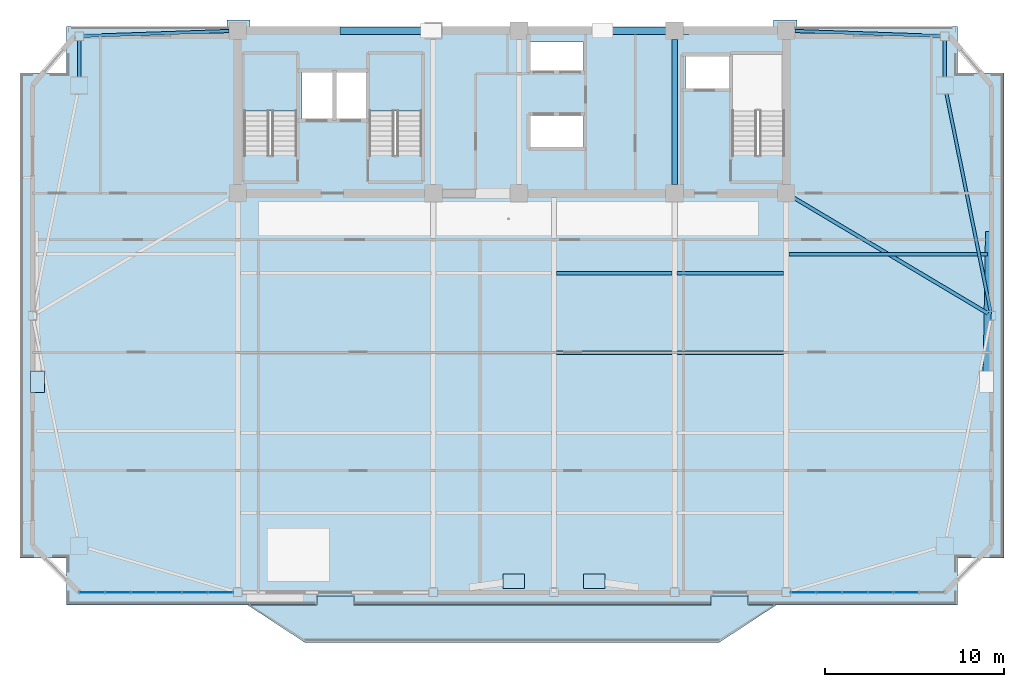
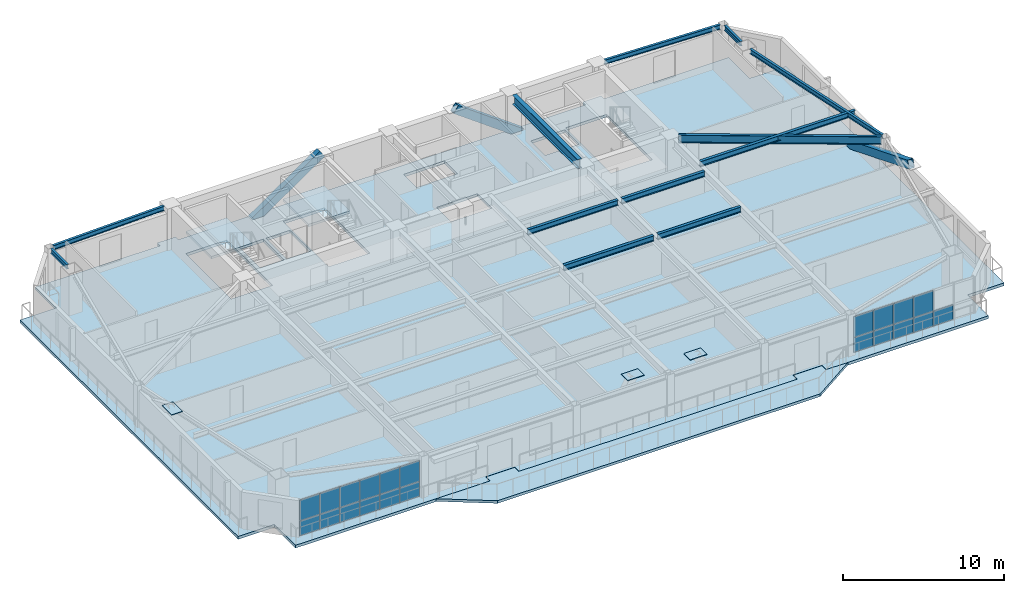
# One storey, part 7 of 17: 24 plates, 12 beams, 4 slabs, 3 members, 4 elements without a shape of their own.
"""IFC4 building model written with IfcOpenShell, lengths in metres."""

from ifc_helpers import new_model, si_unit, direction, frame, origin, origin_2d, place, context, subcontext, project, spatial, polyline, rectangle, hollow_rectangle, i_section, outline, extrude, source, transform, mapped, material, layer, layer_set, material_profile, profile_set, type_object, element, aggregate, save


model = new_model("IFC4")

# Units and contexts
model_context = context("Model", 3, precision=1e-05, world=origin(), true_north=direction((0.0, 1.0)))
body_context = subcontext(model_context, "Body", "Model", "MODEL_VIEW")
ifc_project = project(units=[si_unit("LENGTHUNIT", "METRE"), si_unit("AREAUNIT", "SQUARE_METRE"), si_unit("VOLUMEUNIT", "CUBIC_METRE"), si_unit("PLANEANGLEUNIT", "RADIAN"), si_unit("MASSUNIT", "GRAM", prefix="KILO")], contexts=[model_context])

# Site, building, storey
site_placement = place(None, origin())
site = spatial("IfcSite", under=ifc_project, at=site_placement, CompositionType="ELEMENT")
building_placement = place(site_placement, origin())
building = spatial("IfcBuilding", under=site, at=building_placement, Name="Giltprow Tower", CompositionType="ELEMENT")
storey_placement = place(building_placement, frame((0.0, 0.0, 251.89990234375)))
storey = spatial("IfcBuildingStorey", under=building, at=storey_placement, Name="L64", CompositionType="ELEMENT", Elevation=251.89990234375)

# Beams
ifc_material_1 = material(Name="Structural steel Q355B", Category="steel")
ifc_material_profile_1 = material_profile(ifc_material_1, i_section(OverallWidth=0.300048828125, OverallDepth=0.699951171875, WebThickness=0.012939453125, FlangeThickness=0.02392578125, at=origin_2d()), Name="HN 700x300x13x24")
ifc_profile_set_1 = profile_set([ifc_material_profile_1], Name="Structural steel Q355B")
beam_type_1 = type_object("IfcBeamType", Name="BM-GIRD-HN700", PredefinedType="BEAM", material=ifc_profile_set_1)
shared_shape_1 = source(origin(), body_context, "Body", "SweptSolid", [
    extrude(i_section(OverallWidth=0.300048828125, OverallDepth=0.699951171875, WebThickness=0.012939453125, FlangeThickness=0.02392578125, at=origin_2d()), origin(), (0.0, 0.0, 1.0), 8.1298828125),
])
beam_1_placement = place(storey_placement, frame((44.300048828125, 37.93505859375, 2.835205078125), z_axis=(0.0, 1.0, 0.0), x_axis=(-1.0, 0.0, 0.0)))
element("IfcBeam", 1, at=beam_1_placement, inside=storey, type_object=beam_type_1, Name="L64 Core Tie Girder M3", PredefinedType="BEAM", context=body_context, shape_type="MappedRepresentation", body=[
    mapped(shared_shape_1, transform((0.0, 0.0, 0.0), x_axis=(1.0, 0.0, 0.0), y_axis=(0.0, 1.0, 0.0), z_axis=(0.0, 0.0, 1.0), scale=1.0)),
])
ifc_material_profile_2 = material_profile(ifc_material_1, i_section(OverallWidth=0.199951171875, OverallDepth=0.39990234375, WebThickness=0.008056640625, FlangeThickness=0.012939453125, at=origin_2d()), Name="HN 400x200x8x13")
ifc_profile_set_2 = profile_set([ifc_material_profile_2], Name="Structural steel Q355B")
beam_type_2 = type_object("IfcBeamType", Name="BM-JOIST-HN400", PredefinedType="JOIST", material=ifc_profile_set_2)
shared_shape_2 = source(origin(), body_context, "Body", "SweptSolid", [
    extrude(i_section(OverallWidth=0.199951171875, OverallDepth=0.39990234375, WebThickness=0.008056640625, FlangeThickness=0.012939453125, at=origin_2d()), origin(), (0.0, 0.0, 1.0), 6.4599609375),
])
for number, where, z_axis, x_axis, name in (
    (2, (37.695068359375, 28.514892578125, 2.985107421875), (1.0, 0.0, 0.0), (0.0, 1.0, 0.0), "L64 Composite Floor Joist 3-3"),
    (3, (37.695068359375, 32.98291015625, 2.985107421875), (1.0, 0.0, 0.0), (0.0, 1.0, 0.0), "L64 Composite Floor Joist 4-3"),
):
    element("IfcBeam", number, at=place(storey_placement, frame(where, z_axis=z_axis, x_axis=x_axis)), inside=storey, type_object=beam_type_2, Name=name, PredefinedType="JOIST", context=body_context, shape_type="MappedRepresentation", body=[
        mapped(shared_shape_2, transform((0.0, 0.0, 0.0), x_axis=(1.0, 0.0, 0.0), y_axis=(0.0, 1.0, 0.0), z_axis=(0.0, 0.0, 1.0), scale=1.0)),
    ])
shared_shape_3 = source(origin(), body_context, "Body", "SweptSolid", [
    extrude(i_section(OverallWidth=0.199951171875, OverallDepth=0.39990234375, WebThickness=0.008056640625, FlangeThickness=0.012939453125, at=origin_2d()), origin(), (0.0, 0.0, 1.0), 5.9599609375),
])
for number, where, z_axis, x_axis, name in (
    (4, (44.445068359375, 28.514892578125, 2.985107421875), (1.0, 0.0, 0.0), (0.0, 1.0, 0.0), "L64 Composite Floor Joist 3-4"),
    (5, (44.445068359375, 32.98291015625, 2.985107421875), (1.0, 0.0, 0.0), (0.0, 1.0, 0.0), "L64 Composite Floor Joist 4-4"),
):
    element("IfcBeam", number, at=place(storey_placement, frame(where, z_axis=z_axis, x_axis=x_axis)), inside=storey, type_object=beam_type_2, Name=name, PredefinedType="JOIST", context=body_context, shape_type="MappedRepresentation", body=[
        mapped(shared_shape_3, transform((0.0, 0.0, 0.0), x_axis=(1.0, 0.0, 0.0), y_axis=(0.0, 1.0, 0.0), z_axis=(0.0, 0.0, 1.0), scale=1.0)),
    ])
ifc_material_profile_3 = material_profile(ifc_material_1, i_section(OverallWidth=0.175048828125, OverallDepth=0.35009765625, WebThickness=0.007080078125, FlangeThickness=0.010986328125, at=origin_2d()), Name="HN 350x175x7x11")
ifc_profile_set_3 = profile_set([ifc_material_profile_3], Name="Structural steel Q355B")
beam_type_3 = type_object("IfcBeamType", Name="BM-SPAN-HN350", PredefinedType="SPANDREL", material=ifc_profile_set_3)
shared_shape_4 = source(origin(), body_context, "Body", "SweptSolid", [
    extrude(i_section(OverallWidth=0.175048828125, OverallDepth=0.35009765625, WebThickness=0.007080078125, FlangeThickness=0.010986328125, at=origin_2d()), origin(), (0.0, 0.0, 1.0), 12.42138671875),
])
beam_2_placement = place(storey_placement, frame((61.989990234375, 30.8369140625, 3.010009765625), z_axis=(-0.198927494824, 0.980014210001, 0.0), x_axis=(-0.980014210001, -0.198927494824, 0.0)))
element("IfcBeam", 6, at=beam_2_placement, inside=storey, type_object=beam_type_3, Name="L64 Perimeter Spandrel Beam E_MID-MC_NE", PredefinedType="SPANDREL", context=body_context, shape_type="MappedRepresentation", body=[
    mapped(shared_shape_4, transform((0.0, 0.0, 0.0), x_axis=(1.0, 0.0, 0.0), y_axis=(0.0, 1.0, 0.0), z_axis=(0.0, 0.0, 1.0), scale=1.0)),
])
shared_shape_5 = source(origin(), body_context, "Body", "SweptSolid", [
    extrude(i_section(OverallWidth=0.175048828125, OverallDepth=0.35009765625, WebThickness=0.007080078125, FlangeThickness=0.010986328125, at=origin_2d()), origin(), (0.0, 0.0, 1.0), 2.044921875),
])
for number, where, z_axis, x_axis, name in (
    (7, (59.422119140625, 43.969970703125, 3.010009765625), (0.0, 1.0, 0.0), (-1.0, 0.0, 0.0), "L64 Perimeter Spandrel Beam MC_NE-N_E"),
    (8, (10.97900390625, 46.014892578125, 3.010009765625), (0.0, -1.0, 0.0), (1.0, 0.0, 0.0), "L64 Perimeter Spandrel Beam N_W-MC_NW"),
):
    element("IfcBeam", number, at=place(storey_placement, frame(where, z_axis=z_axis, x_axis=x_axis)), inside=storey, type_object=beam_type_3, Name=name, PredefinedType="SPANDREL", context=body_context, shape_type="MappedRepresentation", body=[
        mapped(shared_shape_5, transform((0.0, 0.0, 0.0), x_axis=(1.0, 0.0, 0.0), y_axis=(0.0, 1.0, 0.0), z_axis=(0.0, 0.0, 1.0), scale=1.0)),
    ])
shared_shape_6 = source(origin(), body_context, "Body", "SweptSolid", [
    extrude(i_section(OverallWidth=0.175048828125, OverallDepth=0.35009765625, WebThickness=0.007080078125, FlangeThickness=0.010986328125, at=origin_2d()), origin(), (0.0, 0.0, 1.0), 8.155517578125),
])
beam_3_placement = place(storey_placement, frame((11.214111328125, 46.258056640625, 3.010009765625), z_axis=(0.999427698127, 0.033827152066, 0.0), x_axis=(-0.033827152066, 0.999427698127, 0.0)))
element("IfcBeam", 9, at=beam_3_placement, inside=storey, type_object=beam_type_3, Name="L64 North Wing Spandrel W", PredefinedType="SPANDREL", context=body_context, shape_type="MappedRepresentation", body=[
    mapped(shared_shape_6, transform((0.0, 0.0, 0.0), x_axis=(1.0, 0.0, 0.0), y_axis=(0.0, 1.0, 0.0), z_axis=(0.0, 0.0, 1.0), scale=1.0)),
])
shared_shape_7 = source(origin(), body_context, "Body", "SweptSolid", [
    extrude(i_section(OverallWidth=0.175048828125, OverallDepth=0.35009765625, WebThickness=0.007080078125, FlangeThickness=0.010986328125, at=origin_2d()), origin(), (0.0, 0.0, 1.0), 8.15673828125),
])
beam_4_placement = place(storey_placement, frame((51.034912109375, 46.533935546875, 3.010009765625), z_axis=(0.999427869361, -0.033822092551, 0.0), x_axis=(0.033822092551, 0.999427869361, 0.0)))
element("IfcBeam", 10, at=beam_4_placement, inside=storey, type_object=beam_type_3, Name="L64 North Wing Spandrel E", PredefinedType="SPANDREL", context=body_context, shape_type="MappedRepresentation", body=[
    mapped(shared_shape_7, transform((0.0, 0.0, 0.0), x_axis=(1.0, 0.0, 0.0), y_axis=(0.0, 1.0, 0.0), z_axis=(0.0, 0.0, 1.0), scale=1.0)),
])
ifc_material_profile_4 = material_profile(ifc_material_1, i_section(OverallWidth=0.199951171875, OverallDepth=0.60009765625, WebThickness=0.010986328125, FlangeThickness=0.01708984375, at=origin_2d()), Name="HN 600x200x11x17")
ifc_profile_set_4 = profile_set([ifc_material_profile_4], Name="Structural steel Q355B")
beam_type_4 = type_object("IfcBeamType", Name="BM-GIRD-HN600", PredefinedType="BEAM", material=ifc_profile_set_4)
shared_shape_8 = source(origin(), body_context, "Body", "SweptSolid", [
    extrude(i_section(OverallWidth=0.199951171875, OverallDepth=0.60009765625, WebThickness=0.010986328125, FlangeThickness=0.01708984375, at=origin_2d()), origin(), (0.0, 0.0, 1.0), 12.650390625),
])
beam_5_placement = place(storey_placement, frame((61.8349609375, 30.72705078125, 2.885009765625), z_axis=(-0.859089447214, 0.511825479716, 0.0), x_axis=(-0.511825479716, -0.859089447214, 0.0)))
element("IfcBeam", 11, at=beam_5_placement, inside=storey, type_object=beam_type_4, Name="L64 East Wing Primary Girder", PredefinedType="BEAM", context=body_context, shape_type="MappedRepresentation", body=[
    mapped(shared_shape_8, transform((0.0, 0.0, 0.0), x_axis=(1.0, 0.0, 0.0), y_axis=(0.0, 1.0, 0.0), z_axis=(0.0, 0.0, 1.0), scale=1.0)),
])
shared_shape_9 = source(origin(), body_context, "Body", "SweptSolid", [
    extrude(i_section(OverallWidth=0.199951171875, OverallDepth=0.39990234375, WebThickness=0.008056640625, FlangeThickness=0.012939453125, at=origin_2d()), origin(), (0.0, 0.0, 1.0), 11.121826171875),
])
beam_6_placement = place(storey_placement, frame((50.695068359375, 34.029052734375, 2.985107421875), z_axis=(1.0, 0.0, 0.0), x_axis=(0.0, 1.0, 0.0)))
element("IfcBeam", 12, at=beam_6_placement, inside=storey, type_object=beam_type_2, Name="L64 East Wing Floor Joist 2", PredefinedType="JOIST", context=body_context, shape_type="MappedRepresentation", body=[
    mapped(shared_shape_9, transform((0.0, 0.0, 0.0), x_axis=(1.0, 0.0, 0.0), y_axis=(0.0, 1.0, 0.0), z_axis=(0.0, 0.0, 1.0), scale=1.0)),
])

# Members
ifc_material_2 = material(Name="Structural steel Q420GJC", Category="steel")
ifc_material_profile_5 = material_profile(ifc_material_2, hollow_rectangle(XDim=0.39990234375, YDim=0.60009765625, WallThickness=0.028076171875, at=origin_2d()), Name="RHS 600x400x28")
ifc_profile_set_5 = profile_set([ifc_material_profile_5], Name="Structural steel Q420GJC")
member_type = type_object("IfcMemberType", Name="MBR-MEGA-RHS600", PredefinedType="BRACE", material=ifc_profile_set_5)
shared_shape_10 = source(origin(), body_context, "Body", "SweptSolid", [
    extrude(hollow_rectangle(XDim=0.39990234375, YDim=0.60009765625, WallThickness=0.028076171875, at=origin_2d()), origin(), (0.0, 0.0, 1.0), 5.991943359375),
])
member_1_placement = place(storey_placement, frame((25.73291015625, 46.550048828125, -0.139892578125), z_axis=(0.823439915598, 0.0, 0.567403476725), x_axis=(0.0, 1.0, 0.0)))
element("IfcMember", 13, at=member_1_placement, inside=storey, type_object=member_type, Name="L64 Chevron Mega-Brace N-L", PredefinedType="BRACE", context=body_context, shape_type="MappedRepresentation", body=[
    mapped(shared_shape_10, transform((0.0, 0.0, 0.0), x_axis=(1.0, 0.0, 0.0), y_axis=(0.0, 1.0, 0.0), z_axis=(0.0, 0.0, 1.0), scale=1.0)),
])
shared_shape_11 = source(origin(), body_context, "Body", "SweptSolid", [
    extrude(hollow_rectangle(XDim=0.39990234375, YDim=0.60009765625, WallThickness=0.028076171875, at=origin_2d()), origin(), (0.0, 0.0, 1.0), 5.773193359375),
])
member_2_placement = place(storey_placement, frame((44.93310546875, 46.550048828125, -0.139892578125), z_axis=(-0.808205443046, 0.0, 0.588900638335), x_axis=(0.0, -1.0, 0.0)))
element("IfcMember", 14, at=member_2_placement, inside=storey, type_object=member_type, Name="L64 Chevron Mega-Brace N-R", PredefinedType="BRACE", context=body_context, shape_type="MappedRepresentation", body=[
    mapped(shared_shape_11, transform((0.0, 0.0, 0.0), x_axis=(1.0, 0.0, 0.0), y_axis=(0.0, 1.0, 0.0), z_axis=(0.0, 0.0, 1.0), scale=1.0)),
])
shared_shape_12 = source(origin(), body_context, "Body", "SweptSolid", [
    extrude(hollow_rectangle(XDim=0.39990234375, YDim=0.60009765625, WallThickness=0.028076171875, at=origin_2d()), origin(), (0.0, 0.0, 1.0), 8.962158203125),
])
member_3_placement = place(storey_placement, frame((61.89892578125, 35.195068359375, 0.0), z_axis=(-0.015500193962, -0.925108237167, 0.379386997027), x_axis=(0.999859664435, -0.016752654566, 0.0)))
element("IfcMember", 15, at=member_3_placement, inside=storey, type_object=member_type, Name="L64 Chevron Mega-Brace E-D", PredefinedType="BRACE", context=body_context, shape_type="MappedRepresentation", body=[
    mapped(shared_shape_12, transform((0.0, 0.0, 0.0), x_axis=(1.0, 0.0, 0.0), y_axis=(0.0, 1.0, 0.0), z_axis=(0.0, 0.0, 1.0), scale=1.0)),
])

# Slabs
ifc_material_3 = material(Name="Concrete C40", Category="concrete")
ifc_layer_1 = layer(ifc_material_3, 0.199951171875, Name="Concrete C40")
ifc_layer_set_1 = layer_set([ifc_layer_1], Name="Concrete C40")
slab_type_1 = type_object("IfcSlabType", Name="SLB-BALC-BRONZE-200", PredefinedType="FLOOR", material=ifc_layer_set_1)
slab_1_placement = place(storey_placement, frame((0.0, 0.0, -0.199951171875)))
element("IfcSlab", 16, at=slab_1_placement, inside=storey, type_object=slab_type_1, Name="L64 Bronze Prow Waterfront Balcony Slab", PredefinedType="FLOOR", context=body_context, shape_type="SweptSolid", body=[
    extrude(outline(polyline([(50.0, 14.4130859375), (46.800048828125, 12.31298828125), (23.60009765625, 12.31298828125), (20.39990234375, 14.4130859375), (24.280029296875, 14.4130859375), (24.280029296875, 14.9130859375), (26.320068359375, 14.9130859375), (26.320068359375, 14.4130859375), (46.3798828125, 14.4130859375), (46.3798828125, 14.9130859375), (48.419921875, 14.9130859375), (48.419921875, 14.4130859375), (50.0, 14.4130859375)])), origin(), (0.0, 0.0, 1.0), 0.199951171875),
])
ifc_layer_2 = layer(ifc_material_3, 0.215087890625, Name="Concrete C40")
ifc_layer_set_2 = layer_set([ifc_layer_2], Name="Concrete C40")
slab_type_2 = type_object("IfcSlabType", Name="SLB-RES-215", PredefinedType="FLOOR", material=ifc_layer_set_2)
slab_2_placement = place(storey_placement, frame((0.0, 0.0, -0.21484375)))
element("IfcSlab", 17, at=slab_2_placement, inside=storey, type_object=slab_type_2, Name="L64 Structural Composite Floor Slab", PredefinedType="FLOOR", context=body_context, shape_type="SweptSolid", body=[
    extrude(outline(polyline([(62.737060546875, 44.18408203125), (62.737060546875, 17.028076171875), (60.1220703125, 17.028076171875), (60.1220703125, 14.4130859375), (48.449951171875, 14.4130859375), (48.449951171875, 14.93310546875), (46.35009765625, 14.93310546875), (46.35009765625, 14.4130859375), (26.35009765625, 14.4130859375), (26.35009765625, 14.93310546875), (24.25, 14.93310546875), (24.25, 14.4130859375), (10.279052734375, 14.4130859375), (10.279052734375, 17.028076171875), (7.6640625, 17.028076171875), (7.6640625, 44.18408203125), (10.279052734375, 44.18408203125), (10.279052734375, 46.800048828125), (19.25, 46.800048828125), (19.25, 47.14990234375), (20.550048828125, 47.14990234375), (20.550048828125, 46.800048828125), (49.85009765625, 46.800048828125), (49.85009765625, 47.14990234375), (51.14990234375, 47.14990234375), (51.14990234375, 46.800048828125), (60.1220703125, 46.800048828125), (60.1220703125, 44.18408203125), (62.737060546875, 44.18408203125)]), holes=[polyline([(39.18994140625, 41.800048828125), (36.239990234375, 41.800048828125), (36.239990234375, 40.0), (39.18994140625, 40.0), (39.18994140625, 41.800048828125)]), polyline([(23.159912109375, 39.570068359375), (23.159912109375, 45.25), (20.199951171875, 45.25), (20.199951171875, 39.570068359375), (23.159912109375, 39.570068359375)]), polyline([(30.159912109375, 39.570068359375), (30.159912109375, 45.25), (27.199951171875, 45.25), (27.199951171875, 39.570068359375), (30.159912109375, 39.570068359375)]), polyline([(50.4599609375, 45.25), (47.5, 45.25), (47.5, 39.570068359375), (50.4599609375, 39.570068359375), (50.4599609375, 45.25)]), polyline([(25.169921875, 44.199951171875), (23.449951171875, 44.199951171875), (23.449951171875, 41.60009765625), (25.169921875, 41.60009765625), (25.169921875, 44.199951171875)]), polyline([(27.10009765625, 44.199951171875), (25.35009765625, 44.199951171875), (25.35009765625, 41.60009765625), (27.10009765625, 41.60009765625), (27.10009765625, 44.199951171875)]), polyline([(47.3798828125, 43.300048828125), (47.3798828125, 45.10009765625), (44.919921875, 45.10009765625), (44.919921875, 43.300048828125), (47.3798828125, 43.300048828125)]), polyline([(39.18994140625, 44.300048828125), (39.18994140625, 45.919921875), (36.239990234375, 45.919921875), (36.239990234375, 44.300048828125), (39.18994140625, 44.300048828125)])]), origin(), (0.0, 0.0, 1.0), 0.21484375),
])

# Stair, slab
stair_type_1 = type_object("IfcStairType", Name="STR-ST-1", PredefinedType="HALF_TURN_STAIR", material=ifc_material_3)
stair_1_placement = place(storey_placement, origin())
stair_1 = element("IfcStair", 18, at=stair_1_placement, inside=storey, type_object=stair_type_1, Name="L64 Core Exit Stair ST-1", PredefinedType="HALF_TURN_STAIR")
ifc_layer_3 = layer(ifc_material_3, 0.179931640625, Name="Concrete C40")
ifc_layer_set_3 = layer_set([ifc_layer_3], Name="Concrete C40")
slab_type_3 = type_object("IfcSlabType", Name="SLD-ST-1", PredefinedType="LANDING", material=ifc_layer_set_3)
slab_3_placement = place(storey_placement, frame((0.0, 0.0, 1.52001953125)))
slab_3 = element("IfcSlab", 19, at=slab_3_placement, type_object=slab_type_3, Name="ST-1 landing 1", PredefinedType="LANDING", context=body_context, shape_type="SweptSolid", body=[
    extrude(outline(polyline([(23.159912109375, 42.070068359375), (23.159912109375, 45.25), (20.199951171875, 45.25), (20.199951171875, 42.070068359375), (23.159912109375, 42.070068359375)])), origin(), (0.0, 0.0, 1.0), 0.18017578125),
])
aggregate(stair_1, [slab_3])

stair_type_2 = type_object("IfcStairType", Name="STR-ST-2", PredefinedType="HALF_TURN_STAIR", material=ifc_material_3)
stair_2_placement = place(storey_placement, origin())
stair_2 = element("IfcStair", 20, at=stair_2_placement, inside=storey, type_object=stair_type_2, Name="L64 Core Exit Stair ST-2", PredefinedType="HALF_TURN_STAIR")
ifc_layer_4 = layer(ifc_material_3, 0.18798828125, Name="Concrete C40")
ifc_layer_set_4 = layer_set([ifc_layer_4], Name="Concrete C40")
slab_type_4 = type_object("IfcSlabType", Name="SLD-ST-2", PredefinedType="LANDING", material=ifc_layer_set_4)
slab_4_placement = place(storey_placement, frame((0.0, 0.0, 1.51220703125)))
slab_4 = element("IfcSlab", 21, at=slab_4_placement, type_object=slab_type_4, Name="ST-2 landing 1", PredefinedType="LANDING", context=body_context, shape_type="SweptSolid", body=[
    extrude(outline(polyline([(30.159912109375, 42.070068359375), (30.159912109375, 45.25), (27.199951171875, 45.25), (27.199951171875, 42.070068359375), (30.159912109375, 42.070068359375)])), origin(), (0.0, 0.0, 1.0), 0.18798828125),
])
aggregate(stair_2, [slab_4])

# Plates
plate_type_1 = type_object("IfcPlateType", Name="PLT-CAP-SEAL", PredefinedType="USERDEFINED", material=ifc_material_2)
shared_shape_13 = source(origin(), body_context, "Body", "SweptSolid", [
    extrude(rectangle(XDim=1.199951171875, YDim=0.800048828125, at=origin_2d()), origin(), (0.0, 0.0, 1.0), 0.034912109375),
])
for number, where, z_axis, x_axis, name in (
    (22, (35.300048828125, 15.73388671875, 3.3828125), (0.0, 0.0, 1.0), (1.0, 0.0, 0.0), "Mega-Brace Node L64-S-LB"),
    (23, (39.800048828125, 15.73388671875, 3.3828125), (0.0, 0.0, 1.0), (1.0, 0.0, 0.0), "Mega-Brace Node L64-S-RB"),
    (24, (8.64111328125, 26.904052734375, 3.3828125), (0.0, 0.0, 1.0), (0.0, 1.0, 0.0), "Mega-Brace Node L64-W-DB"),
):
    element("IfcPlate", number, at=place(storey_placement, frame(where, z_axis=z_axis, x_axis=x_axis)), inside=storey, type_object=plate_type_1, Name=name, ObjectType="SPLICE", PredefinedType="USERDEFINED", context=body_context, shape_type="MappedRepresentation", body=[
        mapped(shared_shape_13, transform((0.0, 0.0, 0.0), x_axis=(1.0, 0.0, 0.0), y_axis=(0.0, 1.0, 0.0), z_axis=(0.0, 0.0, 1.0), scale=1.0)),
    ])

# Curtain wall, plates
ifc_material_4 = material(Name="Anodized bronze", Category="metal")
ifc_layer_5 = layer(ifc_material_4, 0.179931640625, Name="Anodized bronze")
ifc_layer_set_5 = layer_set([ifc_layer_5], Name="Anodized bronze")
curtain_wall_type = type_object("IfcCurtainWallType", Name="CW-RES-SKY", PredefinedType="NOTDEFINED", material=ifc_layer_set_5)
curtain_wall_1_placement = place(storey_placement, origin())
curtain_wall_1 = element("IfcCurtainWall", 25, at=curtain_wall_1_placement, inside=storey, type_object=curtain_wall_type, Name="L64 South Recessed Curtain Wall 1", PredefinedType="NOTDEFINED")
ifc_material_5 = material(Name="Insulated glass", Category="glass")
plate_type_2 = type_object("IfcPlateType", Name="CW-PANEL-IGU-28", PredefinedType="CURTAIN_PANEL", material=ifc_material_5)
shared_shape_14 = source(origin(), body_context, "Body", "SweptSolid", [
    extrude(rectangle(XDim=1.406982421875, YDim=0.028076171875, at=origin_2d()), origin(), (0.0, 0.0, 1.0), 1.114013671875),
])
plate_1_placement = place(storey_placement, frame((11.697021484375, 15.113037109375, 0.05419921875), z_axis=(0.0, 0.0, 1.0), x_axis=(1.0, 0.0, 0.0)))
plate_1 = element("IfcPlate", 26, at=plate_1_placement, type_object=plate_type_2, Name="L64 South Recessed Curtain Wall 1 Glazing Panel 1-1", PredefinedType="CURTAIN_PANEL", context=body_context, shape_type="MappedRepresentation", body=[
    mapped(shared_shape_14, transform((0.0, 0.0, 0.0), x_axis=(1.0, 0.0, 0.0), y_axis=(0.0, 1.0, 0.0), z_axis=(0.0, 0.0, 1.0), scale=1.0)),
])
plate_2_placement = place(storey_placement, frame((13.134033203125, 15.113037109375, 0.05419921875), z_axis=(0.0, 0.0, 1.0), x_axis=(1.0, 0.0, 0.0)))
plate_2 = element("IfcPlate", 27, at=plate_2_placement, type_object=plate_type_2, Name="L64 South Recessed Curtain Wall 1 Glazing Panel 2-1", PredefinedType="CURTAIN_PANEL", context=body_context, shape_type="MappedRepresentation", body=[
    mapped(shared_shape_14, transform((0.0, 0.0, 0.0), x_axis=(1.0, 0.0, 0.0), y_axis=(0.0, 1.0, 0.0), z_axis=(0.0, 0.0, 1.0), scale=1.0)),
])
plate_3_placement = place(storey_placement, frame((14.571044921875, 15.113037109375, 0.05419921875), z_axis=(0.0, 0.0, 1.0), x_axis=(1.0, 0.0, 0.0)))
plate_3 = element("IfcPlate", 28, at=plate_3_placement, type_object=plate_type_2, Name="L64 South Recessed Curtain Wall 1 Glazing Panel 3-1", PredefinedType="CURTAIN_PANEL", context=body_context, shape_type="MappedRepresentation", body=[
    mapped(shared_shape_14, transform((0.0, 0.0, 0.0), x_axis=(1.0, 0.0, 0.0), y_axis=(0.0, 1.0, 0.0), z_axis=(0.0, 0.0, 1.0), scale=1.0)),
])
plate_4_placement = place(storey_placement, frame((16.008056640625, 15.113037109375, 0.05419921875), z_axis=(0.0, 0.0, 1.0), x_axis=(1.0, 0.0, 0.0)))
plate_4 = element("IfcPlate", 29, at=plate_4_placement, type_object=plate_type_2, Name="L64 South Recessed Curtain Wall 1 Glazing Panel 4-1", PredefinedType="CURTAIN_PANEL", context=body_context, shape_type="MappedRepresentation", body=[
    mapped(shared_shape_14, transform((0.0, 0.0, 0.0), x_axis=(1.0, 0.0, 0.0), y_axis=(0.0, 1.0, 0.0), z_axis=(0.0, 0.0, 1.0), scale=1.0)),
])
plate_5_placement = place(storey_placement, frame((17.445068359375, 15.113037109375, 0.05419921875), z_axis=(0.0, 0.0, 1.0), x_axis=(1.0, 0.0, 0.0)))
plate_5 = element("IfcPlate", 30, at=plate_5_placement, type_object=plate_type_2, Name="L64 South Recessed Curtain Wall 1 Glazing Panel 5-1", PredefinedType="CURTAIN_PANEL", context=body_context, shape_type="MappedRepresentation", body=[
    mapped(shared_shape_14, transform((0.0, 0.0, 0.0), x_axis=(1.0, 0.0, 0.0), y_axis=(0.0, 1.0, 0.0), z_axis=(0.0, 0.0, 1.0), scale=1.0)),
])
plate_6_placement = place(storey_placement, frame((18.882080078125, 15.113037109375, 0.05419921875), z_axis=(0.0, 0.0, 1.0), x_axis=(1.0, 0.0, 0.0)))
plate_6 = element("IfcPlate", 31, at=plate_6_placement, type_object=plate_type_2, Name="L64 South Recessed Curtain Wall 1 Glazing Panel 6-1", PredefinedType="CURTAIN_PANEL", context=body_context, shape_type="MappedRepresentation", body=[
    mapped(shared_shape_14, transform((0.0, 0.0, 0.0), x_axis=(1.0, 0.0, 0.0), y_axis=(0.0, 1.0, 0.0), z_axis=(0.0, 0.0, 1.0), scale=1.0)),
])

curtain_wall_2_placement = place(storey_placement, origin())
curtain_wall_2 = element("IfcCurtainWall", 32, at=curtain_wall_2_placement, inside=storey, type_object=curtain_wall_type, Name="L64 South Recessed Curtain Wall 6", PredefinedType="NOTDEFINED")
plate_7_placement = place(storey_placement, frame((51.51806640625, 15.113037109375, 0.05419921875), z_axis=(0.0, 0.0, 1.0), x_axis=(1.0, 0.0, 0.0)))
plate_7 = element("IfcPlate", 33, at=plate_7_placement, type_object=plate_type_2, Name="L64 South Recessed Curtain Wall 6 Glazing Panel 1-1", PredefinedType="CURTAIN_PANEL", context=body_context, shape_type="MappedRepresentation", body=[
    mapped(shared_shape_14, transform((0.0, 0.0, 0.0), x_axis=(1.0, 0.0, 0.0), y_axis=(0.0, 1.0, 0.0), z_axis=(0.0, 0.0, 1.0), scale=1.0)),
])
plate_8_placement = place(storey_placement, frame((52.9560546875, 15.113037109375, 0.05419921875), z_axis=(0.0, 0.0, 1.0), x_axis=(1.0, 0.0, 0.0)))
plate_8 = element("IfcPlate", 34, at=plate_8_placement, type_object=plate_type_2, Name="L64 South Recessed Curtain Wall 6 Glazing Panel 2-1", PredefinedType="CURTAIN_PANEL", context=body_context, shape_type="MappedRepresentation", body=[
    mapped(shared_shape_14, transform((0.0, 0.0, 0.0), x_axis=(1.0, 0.0, 0.0), y_axis=(0.0, 1.0, 0.0), z_axis=(0.0, 0.0, 1.0), scale=1.0)),
])
plate_9_placement = place(storey_placement, frame((54.39208984375, 15.113037109375, 0.05419921875), z_axis=(0.0, 0.0, 1.0), x_axis=(1.0, 0.0, 0.0)))
plate_9 = element("IfcPlate", 35, at=plate_9_placement, type_object=plate_type_2, Name="L64 South Recessed Curtain Wall 6 Glazing Panel 3-1", PredefinedType="CURTAIN_PANEL", context=body_context, shape_type="MappedRepresentation", body=[
    mapped(shared_shape_14, transform((0.0, 0.0, 0.0), x_axis=(1.0, 0.0, 0.0), y_axis=(0.0, 1.0, 0.0), z_axis=(0.0, 0.0, 1.0), scale=1.0)),
])
plate_10_placement = place(storey_placement, frame((55.8291015625, 15.113037109375, 0.05419921875), z_axis=(0.0, 0.0, 1.0), x_axis=(1.0, 0.0, 0.0)))
plate_10 = element("IfcPlate", 36, at=plate_10_placement, type_object=plate_type_2, Name="L64 South Recessed Curtain Wall 6 Glazing Panel 4-1", PredefinedType="CURTAIN_PANEL", context=body_context, shape_type="MappedRepresentation", body=[
    mapped(shared_shape_14, transform((0.0, 0.0, 0.0), x_axis=(1.0, 0.0, 0.0), y_axis=(0.0, 1.0, 0.0), z_axis=(0.0, 0.0, 1.0), scale=1.0)),
])
plate_11_placement = place(storey_placement, frame((57.26611328125, 15.113037109375, 0.05419921875), z_axis=(0.0, 0.0, 1.0), x_axis=(1.0, 0.0, 0.0)))
plate_11 = element("IfcPlate", 37, at=plate_11_placement, type_object=plate_type_2, Name="L64 South Recessed Curtain Wall 6 Glazing Panel 5-1", PredefinedType="CURTAIN_PANEL", context=body_context, shape_type="MappedRepresentation", body=[
    mapped(shared_shape_14, transform((0.0, 0.0, 0.0), x_axis=(1.0, 0.0, 0.0), y_axis=(0.0, 1.0, 0.0), z_axis=(0.0, 0.0, 1.0), scale=1.0)),
])

# Plate
shared_shape_15 = source(origin(), body_context, "Body", "SweptSolid", [
    extrude(rectangle(XDim=1.406982421875, YDim=0.028076171875, at=origin_2d()), origin(), (0.0, 0.0, 1.0), 1.56494140625),
])
plate_12_placement = place(storey_placement, frame((11.697021484375, 15.113037109375, 1.196533203125), z_axis=(0.0, 0.0, 1.0), x_axis=(1.0, 0.0, 0.0)))
plate_12 = element("IfcPlate", 38, at=plate_12_placement, type_object=plate_type_2, Name="L64 South Recessed Curtain Wall 1 Glazing Panel 1-2", PredefinedType="CURTAIN_PANEL", context=body_context, shape_type="MappedRepresentation", body=[
    mapped(shared_shape_15, transform((0.0, 0.0, 0.0), x_axis=(1.0, 0.0, 0.0), y_axis=(0.0, 1.0, 0.0), z_axis=(0.0, 0.0, 1.0), scale=1.0)),
])

plate_13_placement = place(storey_placement, frame((13.134033203125, 15.113037109375, 1.196533203125), z_axis=(0.0, 0.0, 1.0), x_axis=(1.0, 0.0, 0.0)))
plate_13 = element("IfcPlate", 39, at=plate_13_placement, type_object=plate_type_2, Name="L64 South Recessed Curtain Wall 1 Glazing Panel 2-2", PredefinedType="CURTAIN_PANEL", context=body_context, shape_type="MappedRepresentation", body=[
    mapped(shared_shape_15, transform((0.0, 0.0, 0.0), x_axis=(1.0, 0.0, 0.0), y_axis=(0.0, 1.0, 0.0), z_axis=(0.0, 0.0, 1.0), scale=1.0)),
])

plate_14_placement = place(storey_placement, frame((14.571044921875, 15.113037109375, 1.196533203125), z_axis=(0.0, 0.0, 1.0), x_axis=(1.0, 0.0, 0.0)))
plate_14 = element("IfcPlate", 40, at=plate_14_placement, type_object=plate_type_2, Name="L64 South Recessed Curtain Wall 1 Glazing Panel 3-2", PredefinedType="CURTAIN_PANEL", context=body_context, shape_type="MappedRepresentation", body=[
    mapped(shared_shape_15, transform((0.0, 0.0, 0.0), x_axis=(1.0, 0.0, 0.0), y_axis=(0.0, 1.0, 0.0), z_axis=(0.0, 0.0, 1.0), scale=1.0)),
])

plate_15_placement = place(storey_placement, frame((16.008056640625, 15.113037109375, 1.196533203125), z_axis=(0.0, 0.0, 1.0), x_axis=(1.0, 0.0, 0.0)))
plate_15 = element("IfcPlate", 41, at=plate_15_placement, type_object=plate_type_2, Name="L64 South Recessed Curtain Wall 1 Glazing Panel 4-2", PredefinedType="CURTAIN_PANEL", context=body_context, shape_type="MappedRepresentation", body=[
    mapped(shared_shape_15, transform((0.0, 0.0, 0.0), x_axis=(1.0, 0.0, 0.0), y_axis=(0.0, 1.0, 0.0), z_axis=(0.0, 0.0, 1.0), scale=1.0)),
])

plate_16_placement = place(storey_placement, frame((17.445068359375, 15.113037109375, 1.196533203125), z_axis=(0.0, 0.0, 1.0), x_axis=(1.0, 0.0, 0.0)))
plate_16 = element("IfcPlate", 42, at=plate_16_placement, type_object=plate_type_2, Name="L64 South Recessed Curtain Wall 1 Glazing Panel 5-2", PredefinedType="CURTAIN_PANEL", context=body_context, shape_type="MappedRepresentation", body=[
    mapped(shared_shape_15, transform((0.0, 0.0, 0.0), x_axis=(1.0, 0.0, 0.0), y_axis=(0.0, 1.0, 0.0), z_axis=(0.0, 0.0, 1.0), scale=1.0)),
])

plate_17_placement = place(storey_placement, frame((18.882080078125, 15.113037109375, 1.196533203125), z_axis=(0.0, 0.0, 1.0), x_axis=(1.0, 0.0, 0.0)))
plate_17 = element("IfcPlate", 43, at=plate_17_placement, type_object=plate_type_2, Name="L64 South Recessed Curtain Wall 1 Glazing Panel 6-2", PredefinedType="CURTAIN_PANEL", context=body_context, shape_type="MappedRepresentation", body=[
    mapped(shared_shape_15, transform((0.0, 0.0, 0.0), x_axis=(1.0, 0.0, 0.0), y_axis=(0.0, 1.0, 0.0), z_axis=(0.0, 0.0, 1.0), scale=1.0)),
])

aggregate(curtain_wall_1, [plate_1, plate_12, plate_2, plate_13, plate_3, plate_14, plate_4, plate_15, plate_5, plate_16, plate_6, plate_17])

plate_18_placement = place(storey_placement, frame((51.51806640625, 15.113037109375, 1.196533203125), z_axis=(0.0, 0.0, 1.0), x_axis=(1.0, 0.0, 0.0)))
plate_18 = element("IfcPlate", 44, at=plate_18_placement, type_object=plate_type_2, Name="L64 South Recessed Curtain Wall 6 Glazing Panel 1-2", PredefinedType="CURTAIN_PANEL", context=body_context, shape_type="MappedRepresentation", body=[
    mapped(shared_shape_15, transform((0.0, 0.0, 0.0), x_axis=(1.0, 0.0, 0.0), y_axis=(0.0, 1.0, 0.0), z_axis=(0.0, 0.0, 1.0), scale=1.0)),
])

plate_19_placement = place(storey_placement, frame((52.9560546875, 15.113037109375, 1.196533203125), z_axis=(0.0, 0.0, 1.0), x_axis=(1.0, 0.0, 0.0)))
plate_19 = element("IfcPlate", 45, at=plate_19_placement, type_object=plate_type_2, Name="L64 South Recessed Curtain Wall 6 Glazing Panel 2-2", PredefinedType="CURTAIN_PANEL", context=body_context, shape_type="MappedRepresentation", body=[
    mapped(shared_shape_15, transform((0.0, 0.0, 0.0), x_axis=(1.0, 0.0, 0.0), y_axis=(0.0, 1.0, 0.0), z_axis=(0.0, 0.0, 1.0), scale=1.0)),
])

plate_20_placement = place(storey_placement, frame((54.39208984375, 15.113037109375, 1.196533203125), z_axis=(0.0, 0.0, 1.0), x_axis=(1.0, 0.0, 0.0)))
plate_20 = element("IfcPlate", 46, at=plate_20_placement, type_object=plate_type_2, Name="L64 South Recessed Curtain Wall 6 Glazing Panel 3-2", PredefinedType="CURTAIN_PANEL", context=body_context, shape_type="MappedRepresentation", body=[
    mapped(shared_shape_15, transform((0.0, 0.0, 0.0), x_axis=(1.0, 0.0, 0.0), y_axis=(0.0, 1.0, 0.0), z_axis=(0.0, 0.0, 1.0), scale=1.0)),
])

plate_21_placement = place(storey_placement, frame((55.8291015625, 15.113037109375, 1.196533203125), z_axis=(0.0, 0.0, 1.0), x_axis=(1.0, 0.0, 0.0)))
plate_21 = element("IfcPlate", 47, at=plate_21_placement, type_object=plate_type_2, Name="L64 South Recessed Curtain Wall 6 Glazing Panel 4-2", PredefinedType="CURTAIN_PANEL", context=body_context, shape_type="MappedRepresentation", body=[
    mapped(shared_shape_15, transform((0.0, 0.0, 0.0), x_axis=(1.0, 0.0, 0.0), y_axis=(0.0, 1.0, 0.0), z_axis=(0.0, 0.0, 1.0), scale=1.0)),
])

aggregate(curtain_wall_2, [plate_7, plate_18, plate_8, plate_19, plate_9, plate_20, plate_10, plate_21, plate_11])

save(model, "model.ifc")
